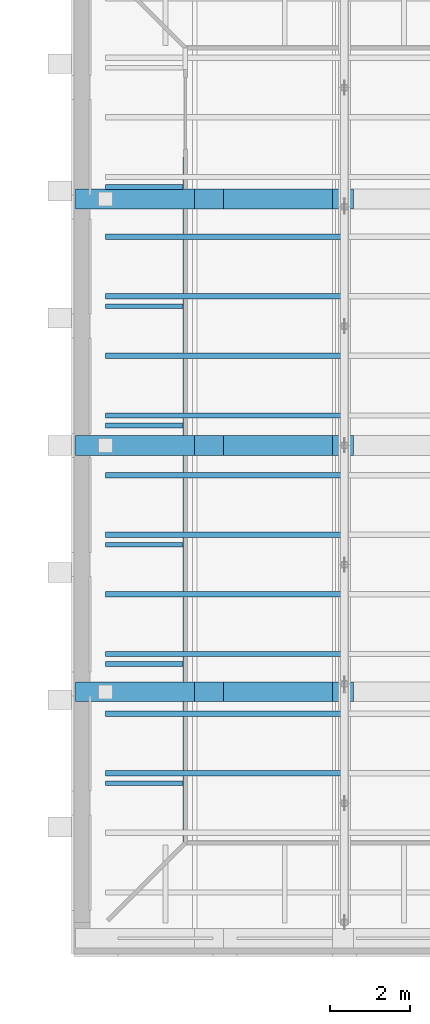
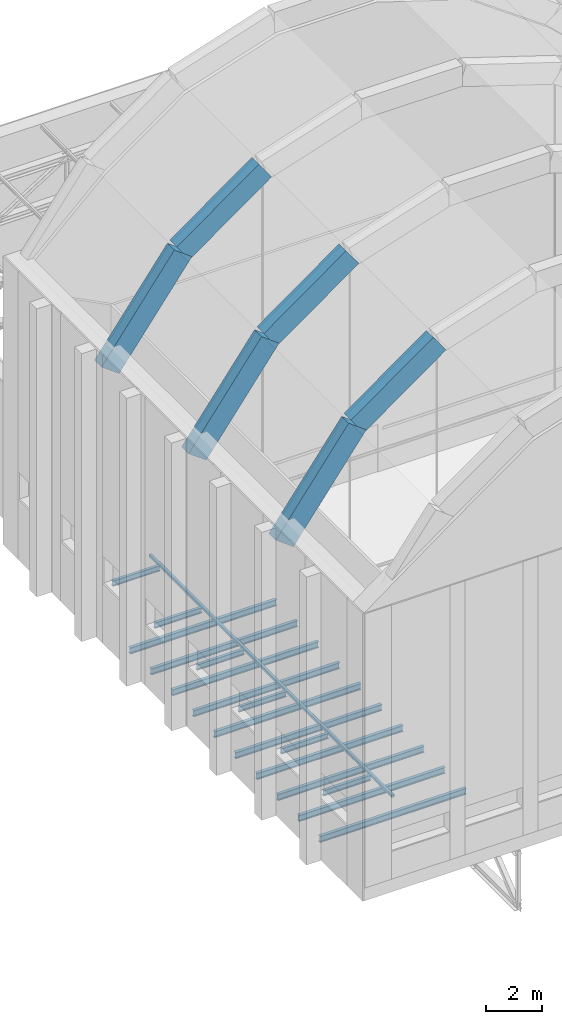
# One storey, part 5 of 55: 16 beams, 7 members.
"""IFC4 building model written with IfcOpenShell, lengths in metres."""

from ifc_helpers import new_model, si_unit, direction, frame, origin, origin_2d, place, context, subcontext, project, spatial, rectangle, hollow_rectangle, i_section, extrude, material, material_profile, profile_set, type_object, element, save


model = new_model("IFC4")

# Units and contexts
model_context = context("Model", 3, precision=1e-05, world=origin(), true_north=direction((0.0, 1.0)))
body_context = subcontext(model_context, "Body", "Model", "MODEL_VIEW")
ifc_project = project(units=[si_unit("LENGTHUNIT", "METRE"), si_unit("AREAUNIT", "SQUARE_METRE"), si_unit("VOLUMEUNIT", "CUBIC_METRE"), si_unit("PLANEANGLEUNIT", "RADIAN"), si_unit("MASSUNIT", "GRAM", prefix="KILO")], contexts=[model_context])

# Site, building, storey
site_placement = place(None, origin())
site = spatial("IfcSite", under=ifc_project, at=site_placement, CompositionType="ELEMENT")
building_placement = place(site_placement, origin())
building = spatial("IfcBuilding", under=site, at=building_placement, Name="Lunette Opera House", CompositionType="ELEMENT")
storey_placement = place(building_placement, frame((0.0, 0.0, 34.0)))
storey = spatial("IfcBuildingStorey", under=building, at=storey_placement, Name="L06", CompositionType="ELEMENT", Elevation=34.0)

# Beams
ifc_material_1 = material(Name="Concrete C40/50", Category="concrete")
ifc_material_profile_1 = material_profile(ifc_material_1, rectangle(XDim=0.5, YDim=0.89990234375, at=origin_2d()), Name="ARCH BEAM 500X900")
ifc_profile_set_1 = profile_set([ifc_material_profile_1], Name="Concrete C40/50")
beam_type_1 = type_object("IfcBeamType", Name="ARCH BEAM 500X900", PredefinedType="BEAM", material=ifc_profile_set_1)
beam_1_placement = place(storey_placement, frame((83.60009765625, 101.800048828125, 11.528076171875), z_axis=(0.595879274634, 0.0, 0.803074025269), x_axis=(0.0, 1.0, 0.0)))
element("IfcBeam", 1, at=beam_1_placement, inside=storey, type_object=beam_type_1, Name="beam-ST-L06-EAT2-1", PredefinedType="BEAM", context=body_context, shape_type="SweptSolid", body=[
    extrude(rectangle(XDim=0.5, YDim=0.89990234375, at=origin_2d()), origin(), (0.0, 0.0, 1.0), 5.0244140625),
])
beam_2_placement = place(storey_placement, frame((86.593994140625, 101.800048828125, 15.56298828125), z_axis=(0.81279485596, 0.0, 0.582550016844), x_axis=(0.0, 1.0, 0.0)))
element("IfcBeam", 2, at=beam_2_placement, inside=storey, type_object=beam_type_1, Name="beam-ST-L06-EAT2-2", PredefinedType="BEAM", context=body_context, shape_type="SweptSolid", body=[
    extrude(rectangle(XDim=0.5, YDim=0.89990234375, at=origin_2d()), origin(), (0.0, 0.0, 1.0), 4.15234375),
])
beam_3_placement = place(storey_placement, frame((83.60009765625, 108.0, 11.528076171875), z_axis=(0.595879274634, 0.0, 0.803074025269), x_axis=(0.0, 1.0, 0.0)))
element("IfcBeam", 3, at=beam_3_placement, inside=storey, type_object=beam_type_1, Name="beam-ST-L06-EAT3-1", PredefinedType="BEAM", context=body_context, shape_type="SweptSolid", body=[
    extrude(rectangle(XDim=0.5, YDim=0.89990234375, at=origin_2d()), origin(), (0.0, 0.0, 1.0), 5.0244140625),
])
beam_4_placement = place(storey_placement, frame((86.593994140625, 108.0, 15.56298828125), z_axis=(0.81279485596, 0.0, 0.582550016844), x_axis=(0.0, 1.0, 0.0)))
element("IfcBeam", 4, at=beam_4_placement, inside=storey, type_object=beam_type_1, Name="beam-ST-L06-EAT3-2", PredefinedType="BEAM", context=body_context, shape_type="SweptSolid", body=[
    extrude(rectangle(XDim=0.5, YDim=0.89990234375, at=origin_2d()), origin(), (0.0, 0.0, 1.0), 4.15234375),
])
beam_5_placement = place(storey_placement, frame((83.60009765625, 114.199951171875, 11.528076171875), z_axis=(0.595879274634, 0.0, 0.803074025269), x_axis=(0.0, 1.0, 0.0)))
element("IfcBeam", 5, at=beam_5_placement, inside=storey, type_object=beam_type_1, Name="beam-ST-L06-EAT4-1", PredefinedType="BEAM", context=body_context, shape_type="SweptSolid", body=[
    extrude(rectangle(XDim=0.5, YDim=0.89990234375, at=origin_2d()), origin(), (0.0, 0.0, 1.0), 5.0244140625),
])
beam_6_placement = place(storey_placement, frame((86.593994140625, 114.199951171875, 15.56298828125), z_axis=(0.81279485596, 0.0, 0.582550016844), x_axis=(0.0, 1.0, 0.0)))
element("IfcBeam", 6, at=beam_6_placement, inside=storey, type_object=beam_type_1, Name="beam-ST-L06-EAT4-2", PredefinedType="BEAM", context=body_context, shape_type="SweptSolid", body=[
    extrude(rectangle(XDim=0.5, YDim=0.89990234375, at=origin_2d()), origin(), (0.0, 0.0, 1.0), 4.15234375),
])

# Members
ifc_material_2 = material(Name="Steel S355", Category="steel")
ifc_material_profile_2 = material_profile(ifc_material_2, i_section(OverallWidth=0.1201171875, OverallDepth=0.239990234375, WebThickness=0.006103515625, FlangeThickness=0.009765625, FilletRadius=0.014892578125, at=origin_2d()), Name="IPE 240")
ifc_profile_set_2 = profile_set([ifc_material_profile_2], Name="Steel S355")
member_type_1 = type_object("IfcMemberType", Name="BRACKET IPE 240", PredefinedType="MEMBER", material=ifc_profile_set_2)
for number, where, z_axis, x_axis, name in (
    (7, (83.989990234375, 99.5, 1.820068359375), (1.0, 0.0, 0.0), (0.0, 1.0, 0.0), "mem-ST-L06-LOFT-BKW839-995"),
    (8, (83.989990234375, 102.5, 1.820068359375), (1.0, 0.0, 0.0), (0.0, 1.0, 0.0), "mem-ST-L06-LOFT-BKW839-1025"),
    (9, (83.989990234375, 105.5, 1.820068359375), (1.0, 0.0, 0.0), (0.0, 1.0, 0.0), "mem-ST-L06-LOFT-BKW839-1055"),
    (10, (83.989990234375, 108.5, 1.820068359375), (1.0, 0.0, 0.0), (0.0, 1.0, 0.0), "mem-ST-L06-LOFT-BKW839-1085"),
    (11, (83.989990234375, 111.5, 1.820068359375), (1.0, 0.0, 0.0), (0.0, 1.0, 0.0), "mem-ST-L06-LOFT-BKW839-1115"),
    (12, (83.989990234375, 114.5, 1.820068359375), (1.0, 0.0, 0.0), (0.0, 1.0, 0.0), "mem-ST-L06-LOFT-BKW839-1145"),
):
    element("IfcMember", number, at=place(storey_placement, frame(where, z_axis=z_axis, x_axis=x_axis)), inside=storey, type_object=member_type_1, Name=name, PredefinedType="MEMBER", context=body_context, shape_type="SweptSolid", body=[
        extrude(i_section(OverallWidth=0.1201171875, OverallDepth=0.239990234375, WebThickness=0.006103515625, FlangeThickness=0.009765625, FilletRadius=0.014892578125, at=origin_2d()), origin(), (0.0, 0.0, 1.0), 1.949951171875),
    ])
ifc_material_3 = material(Name="Steel S355", Category="steel")
ifc_material_profile_3 = material_profile(ifc_material_3, hollow_rectangle(XDim=0.1201171875, YDim=0.1201171875, WallThickness=0.006103515625, InnerFilletRadius=0.006103515625, OuterFilletRadius=0.011962890625, at=origin_2d()), Name="RHS 120X120X6")
ifc_profile_set_3 = profile_set([ifc_material_profile_3], Name="Steel S355")
member_type_2 = type_object("IfcMemberType", Name="EDGE RHS 120X120X6", PredefinedType="MEMBER", material=ifc_profile_set_3)
member_placement = place(storey_placement, frame((86.0, 98.0, 1.8798828125), z_axis=(0.0, 1.0, 0.0), x_axis=(-1.0, 0.0, 0.0)))
element("IfcMember", 13, at=member_placement, inside=storey, type_object=member_type_2, Name="mem-ST-L06-LOFT-EDW", PredefinedType="MEMBER", context=body_context, shape_type="SweptSolid", body=[
    extrude(hollow_rectangle(XDim=0.1201171875, YDim=0.1201171875, WallThickness=0.006103515625, InnerFilletRadius=0.006103515625, OuterFilletRadius=0.011962890625, at=origin_2d()), origin(), (0.0, 0.0, 1.0), 17.25),
])

# Beams
ifc_material_4 = material(Name="Steel S355", Category="steel")
ifc_material_profile_4 = material_profile(ifc_material_4, i_section(OverallWidth=0.135009765625, OverallDepth=0.27001953125, WebThickness=0.006591796875, FlangeThickness=0.01025390625, FilletRadius=0.014892578125, at=origin_2d()), Name="IPE 270")
ifc_profile_set_4 = profile_set([ifc_material_profile_4], Name="Steel S355")
beam_type_2 = type_object("IfcBeamType", Name="STEEL BEAM IPE 270", PredefinedType="BEAM", material=ifc_profile_set_4)
for number, where, z_axis, x_axis, name in (
    (14, (83.989990234375, 99.75, -0.3349609375), (1.0, 0.0, 0.0), (0.0, 1.0, 0.0), "beam-ST-L06-GRID-9975-1"),
    (15, (83.989990234375, 101.25, -0.3349609375), (1.0, 0.0, 0.0), (0.0, 1.0, 0.0), "beam-ST-L06-GRID-10125-1"),
    (16, (83.989990234375, 102.75, -0.3349609375), (1.0, 0.0, 0.0), (0.0, 1.0, 0.0), "beam-ST-L06-GRID-10275-1"),
    (17, (83.989990234375, 104.25, -0.3349609375), (1.0, 0.0, 0.0), (0.0, 1.0, 0.0), "beam-ST-L06-GRID-10425-1"),
    (18, (83.989990234375, 105.75, -0.3349609375), (1.0, 0.0, 0.0), (0.0, 1.0, 0.0), "beam-ST-L06-GRID-10575-1"),
    (19, (83.989990234375, 107.25, -0.3349609375), (1.0, 0.0, 0.0), (0.0, 1.0, 0.0), "beam-ST-L06-GRID-10725-1"),
    (20, (83.989990234375, 108.75, -0.3349609375), (1.0, 0.0, 0.0), (0.0, 1.0, 0.0), "beam-ST-L06-GRID-10875-1"),
    (21, (83.989990234375, 110.25, -0.3349609375), (1.0, 0.0, 0.0), (0.0, 1.0, 0.0), "beam-ST-L06-GRID-11025-1"),
    (22, (83.989990234375, 111.75, -0.3349609375), (1.0, 0.0, 0.0), (0.0, 1.0, 0.0), "beam-ST-L06-GRID-11175-1"),
    (23, (83.989990234375, 113.25, -0.3349609375), (1.0, 0.0, 0.0), (0.0, 1.0, 0.0), "beam-ST-L06-GRID-11325-1"),
):
    element("IfcBeam", number, at=place(storey_placement, frame(where, z_axis=z_axis, x_axis=x_axis)), inside=storey, type_object=beam_type_2, Name=name, PredefinedType="BEAM", context=body_context, shape_type="SweptSolid", body=[
        extrude(i_section(OverallWidth=0.135009765625, OverallDepth=0.27001953125, WebThickness=0.006591796875, FlangeThickness=0.01025390625, FilletRadius=0.014892578125, at=origin_2d()), origin(), (0.0, 0.0, 1.0), 6.010009765625),
    ])

save(model, "model.ifc")
